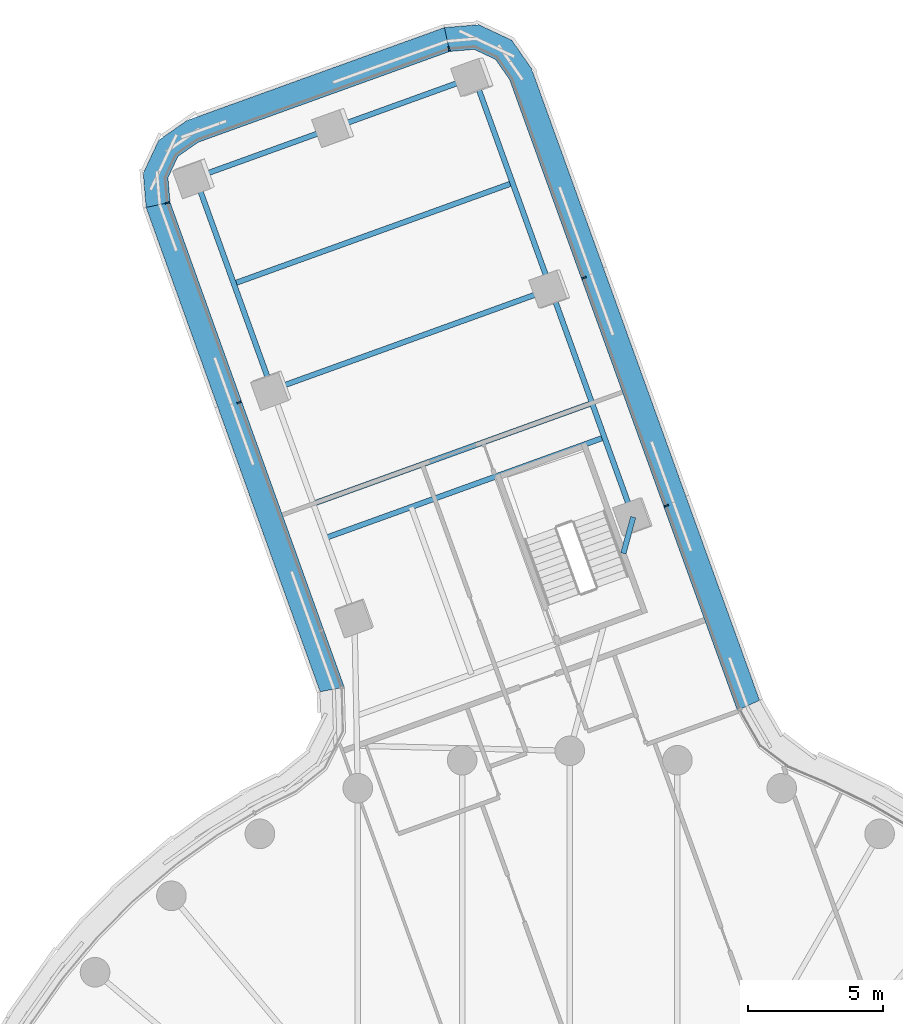
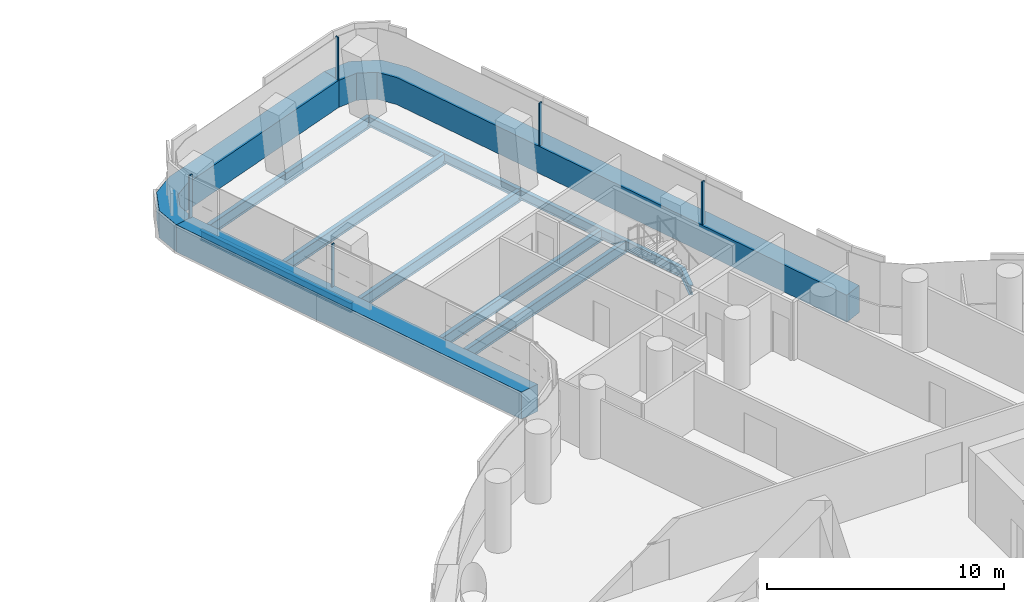
# One storey, part 15 of 30: 10 beams, 8 members, 3 elements without a shape of their own.
"""IFC4 building model written with IfcOpenShell, lengths in metres."""

from ifc_helpers import new_model, si_unit, direction, frame, origin, origin_2d, place, context, subcontext, project, spatial, polyline, rectangle, i_section, outline, extrude, material, layer, layer_set, material_profile, profile_set, type_object, element, aggregate, save


model = new_model("IFC4")

# Units and contexts
model_context = context("Model", 3, precision=1e-05, world=origin(), true_north=direction((0.0, 1.0)))
body_context = subcontext(model_context, "Body", "Model", "MODEL_VIEW")
ifc_project = project(units=[si_unit("LENGTHUNIT", "METRE"), si_unit("AREAUNIT", "SQUARE_METRE"), si_unit("VOLUMEUNIT", "CUBIC_METRE"), si_unit("PLANEANGLEUNIT", "RADIAN"), si_unit("MASSUNIT", "GRAM", prefix="KILO")], contexts=[model_context])

# Site, building, storey
site_placement = place(None, origin())
site = spatial("IfcSite", under=ifc_project, at=site_placement, CompositionType="ELEMENT")
building_placement = place(site_placement, origin())
building = spatial("IfcBuilding", under=site, at=building_placement, Name="Tamarind Cross Interchange Tower", CompositionType="ELEMENT")
storey_placement = place(building_placement, frame((0.0, 0.0, 106.0)))
storey = spatial("IfcBuildingStorey", under=building, at=storey_placement, Name="L25", CompositionType="ELEMENT", Elevation=106.0)

# Beams
ifc_material_1 = material(Name="Steel Q355B", Category="steel")
ifc_material_profile_1 = material_profile(ifc_material_1, i_section(OverallWidth=0.198974609375, OverallDepth=0.49609375, WebThickness=0.009033203125, FlangeThickness=0.013916015625, FilletRadius=0.012939453125, at=origin_2d()), Name="HN 496x199x9x14")
ifc_profile_set_1 = profile_set([ifc_material_profile_1], Name="Steel Q355B")
beam_type_1 = type_object("IfcBeamType", Name="Composite beam HN 496x199x9x14 Q355B", PredefinedType="BEAM", material=ifc_profile_set_1)
beam_1_placement = place(storey_placement, frame((-3.54296875, 48.010009765625, -0.387939453125), z_axis=(0.339589256227, -0.94057383392, 0.0), x_axis=(0.94057383392, 0.339589256227, 0.0)))
element("IfcBeam", 1, at=beam_1_placement, inside=storey, type_object=beam_type_1, Name="Beam N-edgeem5", PredefinedType="BEAM", context=body_context, shape_type="SweptSolid", body=[
    extrude(i_section(OverallWidth=0.198974609375, OverallDepth=0.49609375, WebThickness=0.009033203125, FlangeThickness=0.013916015625, FilletRadius=0.012939453125, at=origin_2d()), origin(), (0.0, 0.0, 1.0), 8.36767578125),
])
beam_2_placement = place(storey_placement, frame((-0.701416015625, 40.1396484375, -0.387939453125), z_axis=(0.339577135833, -0.940578209837, 0.0), x_axis=(0.940578209837, 0.339577135833, 0.0)))
element("IfcBeam", 2, at=beam_2_placement, inside=storey, type_object=beam_type_1, Name="Beam N-edgeem6", PredefinedType="BEAM", context=body_context, shape_type="SweptSolid", body=[
    extrude(i_section(OverallWidth=0.198974609375, OverallDepth=0.49609375, WebThickness=0.009033203125, FlangeThickness=0.013916015625, FilletRadius=0.012939453125, at=origin_2d()), origin(), (0.0, 0.0, 1.0), 8.999755859375),
])
beam_3_placement = place(storey_placement, frame((-13.889404296875, 44.274658203125, -0.387939453125), z_axis=(0.339589256227, -0.94057383392, 0.0), x_axis=(0.94057383392, 0.339589256227, 0.0)))
element("IfcBeam", 3, at=beam_3_placement, inside=storey, type_object=beam_type_1, Name="Beam N-edgeep2", PredefinedType="BEAM", context=body_context, shape_type="SweptSolid", body=[
    extrude(i_section(OverallWidth=0.198974609375, OverallDepth=0.49609375, WebThickness=0.009033203125, FlangeThickness=0.013916015625, FilletRadius=0.012939453125, at=origin_2d()), origin(), (0.0, 0.0, 1.0), 8.36767578125),
])
beam_4_placement = place(storey_placement, frame((2.354736328125, 31.674560546875, -0.387939453125), z_axis=(-0.261901682078, -0.965094559577, 0.0), x_axis=(0.965094559577, -0.261901682078, 0.0)))
element("IfcBeam", 4, at=beam_4_placement, inside=storey, type_object=beam_type_1, Name="Beam N-linkemt0", PredefinedType="BEAM", context=body_context, shape_type="SweptSolid", body=[
    extrude(i_section(OverallWidth=0.198974609375, OverallDepth=0.49609375, WebThickness=0.009033203125, FlangeThickness=0.013916015625, FilletRadius=0.012939453125, at=origin_2d()), origin(), (0.0, 0.0, 1.0), 1.3935546875),
])
ifc_material_profile_2 = material_profile(ifc_material_1, i_section(OverallWidth=0.199951171875, OverallDepth=0.60009765625, WebThickness=0.010986328125, FlangeThickness=0.01708984375, FilletRadius=0.012939453125, at=origin_2d()), Name="HN 600x200x11x17")
ifc_profile_set_2 = profile_set([ifc_material_profile_2], Name="Steel Q355B")
beam_type_2 = type_object("IfcBeamType", Name="Composite beam HN 600x200x11x17 Q355B", PredefinedType="BEAM", material=ifc_profile_set_2)
beam_5_placement = place(storey_placement, frame((-3.54296875, 48.010009765625, -0.43994140625), z_axis=(-0.940576350109, -0.339582286957, 0.0), x_axis=(0.339582286957, -0.940576350109, 0.0)))
element("IfcBeam", 5, at=beam_5_placement, inside=storey, type_object=beam_type_2, Name="Beam N-tip0", PredefinedType="BEAM", context=body_context, shape_type="SweptSolid", body=[
    extrude(i_section(OverallWidth=0.199951171875, OverallDepth=0.60009765625, WebThickness=0.010986328125, FlangeThickness=0.01708984375, FilletRadius=0.012939453125, at=origin_2d()), origin(), (0.0, 0.0, 1.0), 5.5),
])
beam_6_placement = place(storey_placement, frame((-8.716064453125, 46.142333984375, -0.43994140625), z_axis=(-0.940581468653, -0.339568109259, 0.0), x_axis=(0.339568109259, -0.940581468653, 0.0)))
element("IfcBeam", 6, at=beam_6_placement, inside=storey, type_object=beam_type_2, Name="Beam N-tip1", PredefinedType="BEAM", context=body_context, shape_type="SweptSolid", body=[
    extrude(i_section(OverallWidth=0.199951171875, OverallDepth=0.60009765625, WebThickness=0.010986328125, FlangeThickness=0.01708984375, FilletRadius=0.012939453125, at=origin_2d()), origin(), (0.0, 0.0, 1.0), 5.500244140625),
])
beam_7_placement = place(storey_placement, frame((1.284912109375, 34.63720703125, -0.43994140625), z_axis=(-0.940576350109, -0.339582286957, 0.0), x_axis=(0.339582286957, -0.940576350109, 0.0)))
element("IfcBeam", 7, at=beam_7_placement, inside=storey, type_object=beam_type_2, Name="Beam N-x334", PredefinedType="BEAM", context=body_context, shape_type="SweptSolid", body=[
    extrude(i_section(OverallWidth=0.199951171875, OverallDepth=0.60009765625, WebThickness=0.010986328125, FlangeThickness=0.01708984375, FilletRadius=0.012939453125, at=origin_2d()), origin(), (0.0, 0.0, 1.0), 10.999755859375),
])
for number, where, z_axis, x_axis, name in (
    (8, (-0.701416015625, 40.1396484375, -0.43994140625), (-0.940578909462, -0.33957519797, 0.0), (0.33957519797, -0.940578909462, 0.0), "Beam N-x393"),
    (9, (0.82666015625, 35.906982421875, -0.43994140625), (-0.940578909462, -0.33957519797, 0.0), (0.33957519797, -0.940578909462, 0.0), "Beam N-x348"),
):
    element("IfcBeam", number, at=place(storey_placement, frame(where, z_axis=z_axis, x_axis=x_axis)), inside=storey, type_object=beam_type_2, Name=name, PredefinedType="BEAM", context=body_context, shape_type="SweptSolid", body=[
        extrude(i_section(OverallWidth=0.199951171875, OverallDepth=0.60009765625, WebThickness=0.010986328125, FlangeThickness=0.01708984375, FilletRadius=0.012939453125, at=origin_2d()), origin(), (0.0, 0.0, 1.0), 11.0),
    ])
beam_8_placement = place(storey_placement, frame((-2.122314453125, 44.07470703125, -0.43994140625), z_axis=(-0.940576350109, -0.339582286957, 0.0), x_axis=(0.339582286957, -0.940576350109, 0.0)))
element("IfcBeam", 10, at=beam_8_placement, inside=storey, type_object=beam_type_2, Name="Beam N-x435", PredefinedType="BEAM", context=body_context, shape_type="SweptSolid", body=[
    extrude(i_section(OverallWidth=0.199951171875, OverallDepth=0.60009765625, WebThickness=0.010986328125, FlangeThickness=0.01708984375, FilletRadius=0.012939453125, at=origin_2d()), origin(), (0.0, 0.0, 1.0), 10.999755859375),
])

# Curtain wall, member
ifc_material_2 = material(Name="Aluminium 6063-T6", Category="aluminium")
ifc_layer = layer(ifc_material_2, 0.159912109375)
ifc_layer_set = layer_set([ifc_layer], Name="Aluminium 6063-T6")
curtain_wall_type = type_object("IfcCurtainWallType", Name="Office curtain wall, 9.0 m bays", PredefinedType="NOTDEFINED", material=ifc_layer_set)
curtain_wall_1_placement = place(storey_placement, origin())
curtain_wall_1 = element("IfcCurtainWall", 11, at=curtain_wall_1_placement, inside=storey, type_object=curtain_wall_type, Name="CWS-L25-11", PredefinedType="NOTDEFINED")
ifc_material_3 = material(Name="Aluminium and insulated spandrel panel", Category="aluminium")
member_type_1 = type_object("IfcMemberType", Name="Floor-edge blade transom", PredefinedType="USERDEFINED", material=ifc_material_3)
member_1_placement = place(storey_placement, origin())
member_1 = element("IfcMember", 12, at=member_1_placement, type_object=member_type_1, Name="CWT-L25-11", ObjectType="TRANSOM", PredefinedType="USERDEFINED", context=body_context, shape_type="SweptSolid", body=[
    extrude(outline(polyline([(6.220458984375, 24.50048828125), (-2.23095703125, 47.909912109375), (-2.754150390625, 48.6611328125), (-3.545654296875, 49.032958984375), (-4.457763671875, 48.955322265625), (-4.652099609375, 49.84228515625), (-3.381591796875, 49.949951171875), (-2.1533203125, 49.37353515625), (-1.4248046875, 48.3271484375), (7.04296875, 24.873046875), (6.220458984375, 24.50048828125)])), origin(), (0.0, 0.0, 1.0), 1.39990234375),
])

curtain_wall_2_placement = place(storey_placement, origin())
curtain_wall_2 = element("IfcCurtainWall", 13, at=curtain_wall_2_placement, inside=storey, type_object=curtain_wall_type, Name="CWS-L25-12", PredefinedType="NOTDEFINED")
member_2_placement = place(storey_placement, origin())
member_2 = element("IfcMember", 14, at=member_2_placement, type_object=member_type_1, Name="CWT-L25-12", ObjectType="TRANSOM", PredefinedType="USERDEFINED", context=body_context, shape_type="SweptSolid", body=[
    extrude(outline(polyline([(-4.457763671875, 48.955322265625), (-13.789306640625, 45.58642578125), (-14.54052734375, 45.0634765625), (-14.912109375, 44.271728515625), (-14.834716796875, 43.359375), (-15.7216796875, 43.166015625), (-15.829345703125, 44.43603515625), (-15.252685546875, 45.6640625), (-14.20654296875, 46.392822265625), (-4.652099609375, 49.84228515625), (-4.457763671875, 48.955322265625)])), origin(), (0.0, 0.0, 1.0), 1.39990234375),
])

curtain_wall_3_placement = place(storey_placement, origin())
curtain_wall_3 = element("IfcCurtainWall", 15, at=curtain_wall_3_placement, inside=storey, type_object=curtain_wall_type, Name="CWS-L25-13", PredefinedType="NOTDEFINED")
member_3_placement = place(storey_placement, origin())
member_3 = element("IfcMember", 16, at=member_3_placement, type_object=member_type_1, Name="CWT-L25-13", ObjectType="TRANSOM", PredefinedType="USERDEFINED", context=body_context, shape_type="SweptSolid", body=[
    extrude(outline(polyline([(-14.834716796875, 43.359375), (-8.368408203125, 25.362060546875), (-9.263916015625, 25.19287109375), (-15.7216796875, 43.166015625), (-14.834716796875, 43.359375)])), origin(), (0.0, 0.0, 1.0), 1.39990234375),
])

# Member
ifc_material_profile_3 = material_profile(ifc_material_2, rectangle(XDim=0.06005859375, YDim=0.159912109375, at=origin_2d()), Name="Mullion CW1")
ifc_profile_set_3 = profile_set([ifc_material_profile_3], Name="Aluminium 6063-T6")
member_type_2 = type_object("IfcMemberType", Name="Mullion CW1", PredefinedType="MULLION", material=ifc_profile_set_3)
member_4_placement = place(storey_placement, frame((3.583984375, 32.097900390625, 1.39990234375), z_axis=(0.0, 0.0, 1.0), x_axis=(-0.339578564011, 0.94057769422, 0.0)))
member_4 = element("IfcMember", 17, at=member_4_placement, type_object=member_type_2, Name="CWM-L25-11-01", PredefinedType="MULLION", context=body_context, shape_type="SweptSolid", body=[
    extrude(rectangle(XDim=0.06005859375, YDim=0.159912109375, at=origin_2d()), origin(), (0.0, 0.0, 1.0), 2.210205078125),
])

member_5_placement = place(storey_placement, frame((0.529052734375, 40.5595703125, 1.39990234375), z_axis=(0.0, 0.0, 1.0), x_axis=(-0.339578564011, 0.94057769422, 0.0)))
member_5 = element("IfcMember", 18, at=member_5_placement, type_object=member_type_2, Name="CWM-L25-11-02", PredefinedType="MULLION", context=body_context, shape_type="SweptSolid", body=[
    extrude(rectangle(XDim=0.06005859375, YDim=0.159912109375, at=origin_2d()), origin(), (0.0, 0.0, 1.0), 2.210205078125),
])

aggregate(curtain_wall_1, [member_4, member_5, member_1])

member_6_placement = place(storey_placement, frame((-4.4794921875, 49.053955078125, 1.39990234375), z_axis=(0.0, 0.0, 1.0), x_axis=(-0.976854818577, -0.213903397408, 0.0)))
member_6 = element("IfcMember", 19, at=member_6_placement, type_object=member_type_2, Name="CWM-L25-12-00", PredefinedType="MULLION", context=body_context, shape_type="SweptSolid", body=[
    extrude(rectangle(XDim=0.06005859375, YDim=0.159912109375, at=origin_2d()), origin(), (0.0, 0.0, 1.0), 2.210205078125),
])

aggregate(curtain_wall_2, [member_6, member_2])

member_7_placement = place(storey_placement, frame((-14.933349609375, 43.337890625, 1.39990234375), z_axis=(0.0, 0.0, 1.0), x_axis=(0.213150765198, -0.977019319817, 0.0)))
member_7 = element("IfcMember", 20, at=member_7_placement, type_object=member_type_2, Name="CWM-L25-13-00", PredefinedType="MULLION", context=body_context, shape_type="SweptSolid", body=[
    extrude(rectangle(XDim=0.06005859375, YDim=0.159912109375, at=origin_2d()), origin(), (0.0, 0.0, 1.0), 2.210205078125),
])

member_8_placement = place(storey_placement, frame((-12.272216796875, 35.931640625, 1.39990234375), z_axis=(0.0, 0.0, 1.0), x_axis=(0.338128919647, -0.941099800074, 0.0)))
member_8 = element("IfcMember", 21, at=member_8_placement, type_object=member_type_2, Name="CWM-L25-13-01", PredefinedType="MULLION", context=body_context, shape_type="SweptSolid", body=[
    extrude(rectangle(XDim=0.06005859375, YDim=0.159912109375, at=origin_2d()), origin(), (0.0, 0.0, 1.0), 2.210205078125),
])

aggregate(curtain_wall_3, [member_7, member_8, member_3])

save(model, "model.ifc")
